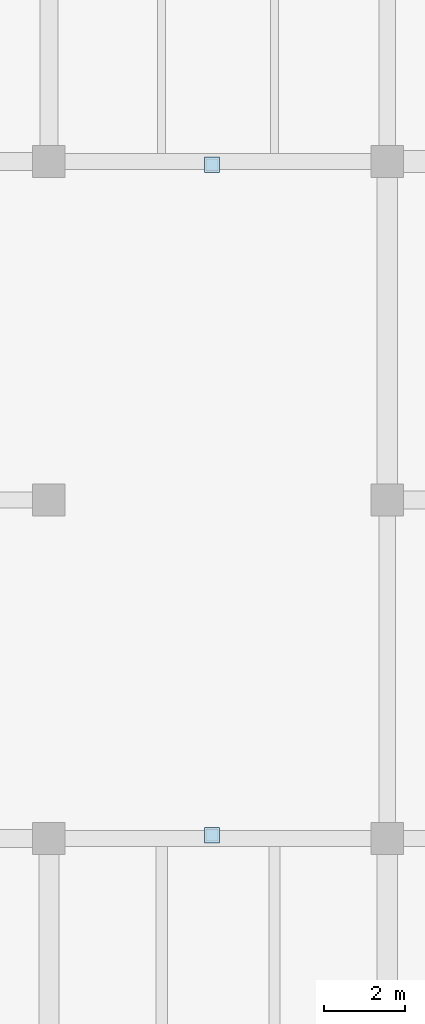
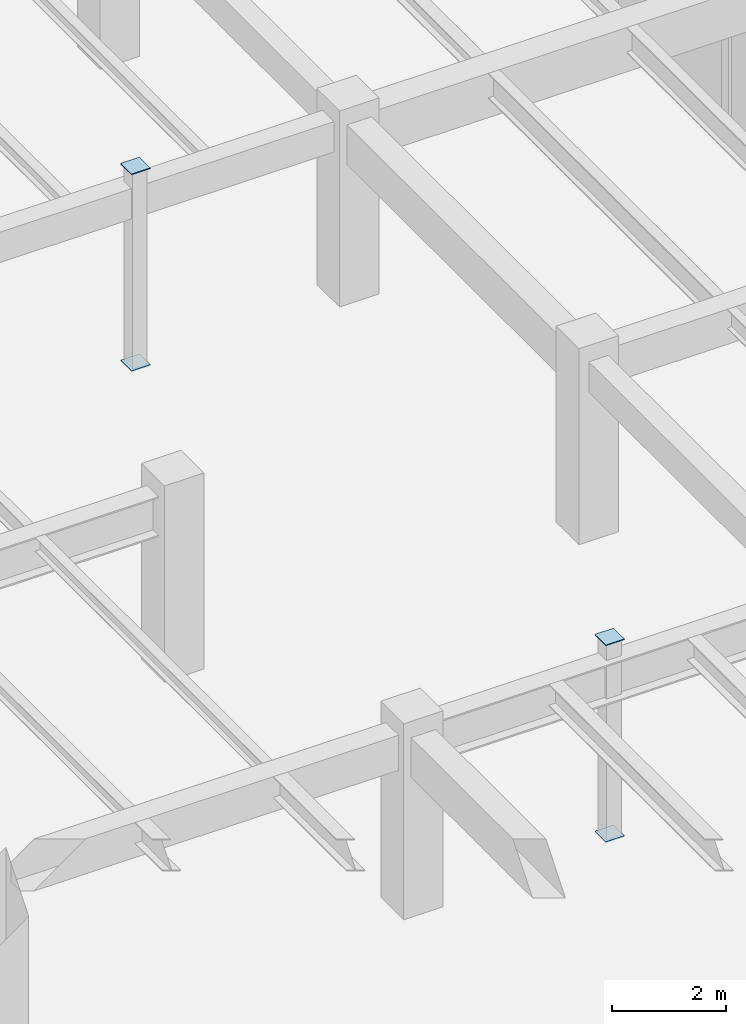
# One storey, part 33 of 63: 4 plates.
"""IFC4 building model written with IfcOpenShell, lengths in metres."""

from ifc_helpers import new_model, si_unit, direction, frame, origin, origin_2d, place, context, subcontext, project, spatial, rectangle, extrude, material, layer, layer_set, type_object, element, save


model = new_model("IFC4")

# Units and contexts
model_context = context("Model", 3, precision=1e-05, world=origin(), true_north=direction((0.0, 1.0)))
body_context = subcontext(model_context, "Body", "Model", "MODEL_VIEW")
ifc_project = project(units=[si_unit("LENGTHUNIT", "METRE"), si_unit("AREAUNIT", "SQUARE_METRE"), si_unit("VOLUMEUNIT", "CUBIC_METRE"), si_unit("PLANEANGLEUNIT", "RADIAN"), si_unit("MASSUNIT", "GRAM", prefix="KILO")], contexts=[model_context])

# Site, building, storey
site_placement = place(None, origin())
site = spatial("IfcSite", under=ifc_project, at=site_placement, CompositionType="ELEMENT")
building_placement = place(site_placement, origin())
building = spatial("IfcBuilding", under=site, at=building_placement, Name="Cumbredor Promenade Congress Hotel", CompositionType="ELEMENT")
storey_placement = place(building_placement, frame((0.0, 0.0, -4.199951171875)))
storey = spatial("IfcBuildingStorey", under=building, at=storey_placement, Name="B01", CompositionType="ELEMENT", Elevation=-4.199951171875)

# Plates
ifc_material = material(Name="Steel ASTM A572 Grade 50", Category="steel")
ifc_layer = layer(ifc_material, 0.02001953125, Name="Steel ASTM A572 Grade 50", Category="steel")
ifc_layer_set = layer_set([ifc_layer], Name="Steel ASTM A572 Grade 50")
plate_type = type_object("IfcPlateType", Name="Hollow Section End Cap Plate CP-04", PredefinedType="USERDEFINED", material=ifc_layer_set)
for number, where, z_axis, x_axis, name in (
    (1, (155.25, 67.280029296875, -0.01806640625), (0.0, 0.0, 1.0), (1.0, 0.0, 0.0), "East Ballroom-to-Forum Glazed Bridge B01 Substructure Pier 2 Start Cap Plate"),
    (2, (155.25, 67.280029296875, 4.197998046875), (0.0, 0.0, 1.0), (1.0, 0.0, 0.0), "East Ballroom-to-Forum Glazed Bridge B01 Substructure Pier 2 End Cap Plate"),
    (3, (155.25, 83.919921875, -0.01806640625), (0.0, 0.0, 1.0), (1.0, 0.0, 0.0), "East Ballroom-to-Forum Glazed Bridge B01 Substructure Pier 4 Start Cap Plate"),
    (4, (155.25, 83.919921875, 4.197998046875), (0.0, 0.0, 1.0), (1.0, 0.0, 0.0), "East Ballroom-to-Forum Glazed Bridge B01 Substructure Pier 4 End Cap Plate"),
):
    element("IfcPlate", number, at=place(storey_placement, frame(where, z_axis=z_axis, x_axis=x_axis)), inside=storey, type_object=plate_type, Name=name, ObjectType="CAP PLATE", PredefinedType="USERDEFINED", context=body_context, shape_type="SweptSolid", body=[
        extrude(rectangle(XDim=0.3798828125, YDim=0.3798828125, at=origin_2d()), origin(), (0.0, 0.0, 1.0), 0.02001953125),
    ])

save(model, "model.ifc")
